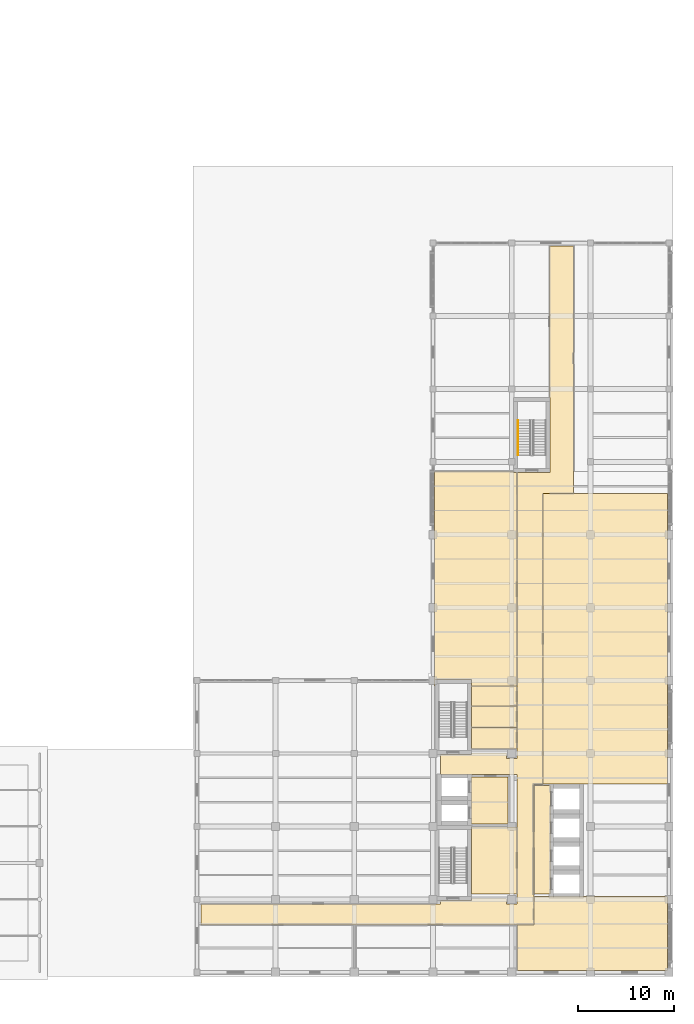
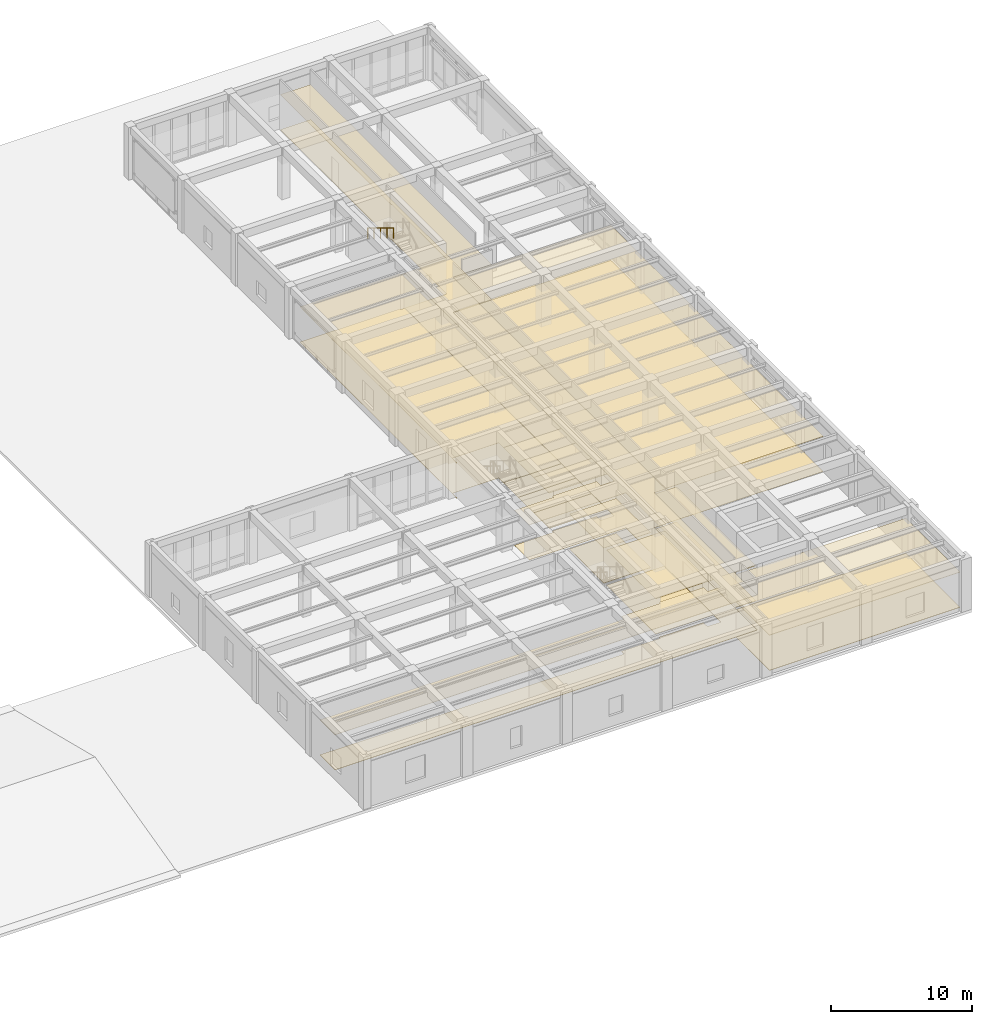
# One storey, part 22 of 23: 20 coverings, 1 railing.
"""IFC4 building model written with IfcOpenShell, lengths in metres."""

from ifc_helpers import new_model, si_unit, direction, frame, origin, origin_2d, place, context, subcontext, project, spatial, polyline, circle, outline, extrude, material, layer, layer_set, type_object, element, save


model = new_model("IFC4")

# Units and contexts
model_context = context("Model", 3, precision=1e-05, world=origin(), true_north=direction((0.0, 1.0)))
body_context = subcontext(model_context, "Body", "Model", "MODEL_VIEW")
ifc_project = project(units=[si_unit("LENGTHUNIT", "METRE"), si_unit("AREAUNIT", "SQUARE_METRE"), si_unit("VOLUMEUNIT", "CUBIC_METRE"), si_unit("PLANEANGLEUNIT", "RADIAN"), si_unit("MASSUNIT", "GRAM", prefix="KILO")], contexts=[model_context])

# Site, building, storey
site_placement = place(None, origin())
site = spatial("IfcSite", under=ifc_project, at=site_placement, CompositionType="ELEMENT")
building_placement = place(site_placement, origin())
building = spatial("IfcBuilding", under=site, at=building_placement, Name="Qandaris Square Conservatory and Botanical Centre", CompositionType="ELEMENT")
storey_placement = place(building_placement, frame((0.0, 0.0, 15.0)))
storey = spatial("IfcBuildingStorey", under=building, at=storey_placement, Name="L03", CompositionType="ELEMENT", Elevation=15.0)

# Coverings
ifc_material_1 = material(Name="Honed Qatari Limestone", Category="masonry")
ifc_layer_1 = layer(ifc_material_1, 0.030029296875)
ifc_layer_set_1 = layer_set([ifc_layer_1], Name="Honed Qatari Limestone")
covering_type_1 = type_object("IfcCoveringType", Name="Honed Qatari Limestone Concourse Paving", PredefinedType="FLOORING", material=ifc_layer_set_1)
covering_1_placement = place(storey_placement, origin())
element("IfcCovering", 1, at=covering_1_placement, inside=storey, type_object=covering_type_1, Name="Firefighting Lift Lobby L03 Flooring", PredefinedType="FLOORING", context=body_context, shape_type="SweptSolid", body=[
    extrude(outline(polyline([(143.14990234375, 36.949951171875), (147.0, 36.949951171875), (147.0, 32.050048828125), (143.14990234375, 32.050048828125), (143.14990234375, 36.949951171875)])), origin(), (0.0, 0.0, 1.0), 0.030029296875),
])
covering_2_placement = place(storey_placement, origin())
element("IfcCovering", 2, at=covering_2_placement, inside=storey, type_object=covering_type_1, Name="Passenger Lift Lobby L03 Flooring", PredefinedType="FLOORING", context=body_context, shape_type="SweptSolid", body=[
    extrude(outline(polyline([(149.699951171875, 36.050048828125), (151.449951171875, 36.050048828125), (151.449951171875, 24.75), (149.699951171875, 24.75), (149.699951171875, 36.050048828125)])), origin(), (0.0, 0.0, 1.0), 0.030029296875),
])
covering_3_placement = place(storey_placement, origin())
element("IfcCovering", 3, at=covering_3_placement, inside=storey, type_object=covering_type_1, Name="Main Circulation Corridor L03 Flooring", PredefinedType="FLOORING", context=body_context, shape_type="SweptSolid", body=[
    extrude(outline(polyline([(140.0, 24.10009765625), (143.199951171875, 24.10009765625), (143.199951171875, 24.280029296875), (146.85009765625, 24.280029296875), (146.85009765625, 23.699951171875), (147.949951171875, 23.699951171875), (147.949951171875, 24.75), (147.949951171875, 31.75), (147.949951171875, 36.199951171875), (147.949951171875, 37.199951171875), (140.0, 37.199951171875), (140.0, 38.89990234375), (140.0, 39.300048828125), (143.199951171875, 39.300048828125), (143.199951171875, 39.47998046875), (146.85009765625, 39.47998046875), (146.85009765625, 38.89990234375), (147.949951171875, 38.89990234375), (147.949951171875, 39.89990234375), (147.949951171875, 42.1201171875), (147.949951171875, 44.340087890625), (147.949951171875, 46.419921875), (147.949951171875, 66.5), (147.949951171875, 68.699951171875), (151.39990234375, 68.699951171875), (151.39990234375, 76.5), (151.35009765625, 76.5), (151.35009765625, 92.300048828125), (153.85009765625, 92.300048828125), (153.85009765625, 68.85009765625), (153.85009765625, 66.5), (151.35009765625, 66.5), (150.64990234375, 66.5), (150.64990234375, 36.199951171875), (149.699951171875, 36.199951171875), (149.699951171875, 36.050048828125), (149.699951171875, 24.75), (149.699951171875, 23.699951171875), (149.699951171875, 21.550048828125), (147.949951171875, 21.550048828125), (115.0, 21.550048828125), (115.0, 23.699951171875), (140.0, 23.699951171875), (140.0, 24.10009765625)])), origin(), (0.0, 0.0, 1.0), 0.030029296875),
])
covering_4_placement = place(storey_placement, origin())
element("IfcCovering", 4, at=covering_4_placement, inside=storey, type_object=covering_type_1, Name="Principal Investigators Office Flooring", PredefinedType="FLOORING", context=body_context, shape_type="SweptSolid", body=[
    extrude(outline(polyline([(147.949951171875, 21.550048828125), (149.699951171875, 21.550048828125), (149.699951171875, 23.699951171875), (149.699951171875, 24.5), (163.6201171875, 24.5), (163.6201171875, 16.780029296875), (147.949951171875, 16.780029296875), (147.949951171875, 21.550048828125)])), origin(), (0.0, 0.0, 1.0), 0.030029296875),
])
ifc_material_2 = material(Name="Gypsum Plasterboard", Category="gypsum")
ifc_layer_2 = layer(ifc_material_2, 0.02490234375)
ifc_layer_set_2 = layer_set([ifc_layer_2], Name="Gypsum Plasterboard")
covering_type_2 = type_object("IfcCoveringType", Name="Perforated Acoustic Lab Ceiling Tile", PredefinedType="CEILING", material=ifc_layer_set_2)
covering_5_placement = place(storey_placement, frame((0.0, 0.0, 3.050048828125)))
element("IfcCovering", 5, at=covering_5_placement, inside=storey, type_object=covering_type_2, Name="Firefighting Lift Lobby L03 Ceiling", PredefinedType="CEILING", context=body_context, shape_type="SweptSolid", body=[
    extrude(outline(polyline([(143.14990234375, 36.949951171875), (147.0, 36.949951171875), (147.0, 32.050048828125), (143.14990234375, 32.050048828125), (143.14990234375, 36.949951171875)])), origin(), (0.0, 0.0, 1.0), 0.02490234375),
])
covering_6_placement = place(storey_placement, frame((0.0, 0.0, 3.050048828125)))
element("IfcCovering", 6, at=covering_6_placement, inside=storey, type_object=covering_type_2, Name="Electrical and Telecom Riser Room L03 Ceiling", PredefinedType="CEILING", context=body_context, shape_type="SweptSolid", body=[
    extrude(outline(polyline([(147.949951171875, 31.75), (147.949951171875, 24.75), (143.199951171875, 24.75), (143.199951171875, 31.75), (147.949951171875, 31.75)])), origin(), (0.0, 0.0, 1.0), 0.02490234375),
])
covering_7_placement = place(storey_placement, frame((0.0, 0.0, 3.050048828125)))
element("IfcCovering", 7, at=covering_7_placement, inside=storey, type_object=covering_type_2, Name="Passenger Lift Lobby L03 Ceiling", PredefinedType="CEILING", context=body_context, shape_type="SweptSolid", body=[
    extrude(outline(polyline([(149.699951171875, 36.050048828125), (151.449951171875, 36.050048828125), (151.449951171875, 24.75), (149.699951171875, 24.75), (149.699951171875, 36.050048828125)])), origin(), (0.0, 0.0, 1.0), 0.02490234375),
])
covering_8_placement = place(storey_placement, frame((0.0, 0.0, 3.050048828125)))
element("IfcCovering", 8, at=covering_8_placement, inside=storey, type_object=covering_type_2, Name="Accessible Toilet L03 Ceiling", PredefinedType="CEILING", context=body_context, shape_type="SweptSolid", body=[
    extrude(outline(polyline([(147.949951171875, 42.1201171875), (147.949951171875, 39.89990234375), (143.199951171875, 39.89990234375), (143.199951171875, 42.1201171875), (147.949951171875, 42.1201171875)])), origin(), (0.0, 0.0, 1.0), 0.02490234375),
])
covering_9_placement = place(storey_placement, frame((0.0, 0.0, 3.050048828125)))
element("IfcCovering", 9, at=covering_9_placement, inside=storey, type_object=covering_type_2, Name="Staff Male Toilet L03 Ceiling", PredefinedType="CEILING", context=body_context, shape_type="SweptSolid", body=[
    extrude(outline(polyline([(147.949951171875, 44.340087890625), (147.949951171875, 42.1201171875), (143.199951171875, 42.1201171875), (143.199951171875, 44.340087890625), (147.949951171875, 44.340087890625)])), origin(), (0.0, 0.0, 1.0), 0.02490234375),
])
covering_10_placement = place(storey_placement, frame((0.0, 0.0, 3.050048828125)))
element("IfcCovering", 10, at=covering_10_placement, inside=storey, type_object=covering_type_2, Name="Staff Female Toilet L03 Ceiling", PredefinedType="CEILING", context=body_context, shape_type="SweptSolid", body=[
    extrude(outline(polyline([(147.949951171875, 46.419921875), (147.949951171875, 44.340087890625), (143.199951171875, 44.340087890625), (143.199951171875, 46.419921875), (147.949951171875, 46.419921875)])), origin(), (0.0, 0.0, 1.0), 0.02490234375),
])
covering_11_placement = place(storey_placement, frame((0.0, 0.0, 3.050048828125)))
element("IfcCovering", 11, at=covering_11_placement, inside=storey, type_object=covering_type_2, Name="Main Circulation Corridor L03 Ceiling", PredefinedType="CEILING", context=body_context, shape_type="SweptSolid", body=[
    extrude(outline(polyline([(140.0, 24.10009765625), (143.199951171875, 24.10009765625), (143.199951171875, 24.280029296875), (146.85009765625, 24.280029296875), (146.85009765625, 23.699951171875), (147.949951171875, 23.699951171875), (147.949951171875, 24.75), (147.949951171875, 31.75), (147.949951171875, 36.199951171875), (147.949951171875, 37.199951171875), (140.0, 37.199951171875), (140.0, 38.89990234375), (140.0, 39.300048828125), (143.199951171875, 39.300048828125), (143.199951171875, 39.47998046875), (146.85009765625, 39.47998046875), (146.85009765625, 38.89990234375), (147.949951171875, 38.89990234375), (147.949951171875, 39.89990234375), (147.949951171875, 42.1201171875), (147.949951171875, 44.340087890625), (147.949951171875, 46.419921875), (147.949951171875, 66.5), (147.949951171875, 68.699951171875), (151.39990234375, 68.699951171875), (151.39990234375, 76.5), (151.35009765625, 76.5), (151.35009765625, 92.300048828125), (153.85009765625, 92.300048828125), (153.85009765625, 68.85009765625), (153.85009765625, 66.5), (151.35009765625, 66.5), (150.64990234375, 66.5), (150.64990234375, 36.199951171875), (149.699951171875, 36.199951171875), (149.699951171875, 36.050048828125), (149.699951171875, 24.75), (149.699951171875, 23.699951171875), (149.699951171875, 21.550048828125), (147.949951171875, 21.550048828125), (115.0, 21.550048828125), (115.0, 23.699951171875), (140.0, 23.699951171875), (140.0, 24.10009765625)])), origin(), (0.0, 0.0, 1.0), 0.02490234375),
])
covering_12_placement = place(storey_placement, frame((0.0, 0.0, 3.050048828125)))
element("IfcCovering", 12, at=covering_12_placement, inside=storey, type_object=covering_type_2, Name="Phytochemistry Extraction Laboratory Ceiling", PredefinedType="CEILING", context=body_context, shape_type="SweptSolid", body=[
    extrude(outline(polyline([(150.64990234375, 66.5), (151.35009765625, 66.5), (153.85009765625, 66.5), (163.6201171875, 66.5), (163.6201171875, 36.25), (150.64990234375, 36.25), (150.64990234375, 66.5)])), origin(), (0.0, 0.0, 1.0), 0.02490234375),
])
covering_13_placement = place(storey_placement, frame((0.0, 0.0, 3.050048828125)))
element("IfcCovering", 13, at=covering_13_placement, inside=storey, type_object=covering_type_2, Name="Media Preparation and Autoclave Room Ceiling", PredefinedType="CEILING", context=body_context, shape_type="SweptSolid", body=[
    extrude(outline(polyline([(139.372314453125, 46.94775390625), (139.37646484375, 46.96484375), (139.379150390625, 46.982421875), (139.3798828125, 47.0), (139.3798828125, 68.800048828125), (147.60009765625, 68.800048828125), (147.60009765625, 68.699951171875), (147.949951171875, 68.699951171875), (147.949951171875, 66.5), (147.949951171875, 46.419921875), (143.199951171875, 46.419921875), (143.199951171875, 47.10009765625), (139.39990234375, 47.10009765625), (139.39990234375, 46.419921875), (139.35009765625, 46.419921875), (139.35009765625, 46.900634765625), (139.358642578125, 46.9150390625), (139.3662109375, 46.93115234375), (139.372314453125, 46.94775390625)])), origin(), (0.0, 0.0, 1.0), 0.02490234375),
])
ifc_material_3 = material(Name="Epoxy Resin Screed", Category="finish")
ifc_layer_3 = layer(ifc_material_3, 0.014892578125)
ifc_layer_set_3 = layer_set([ifc_layer_3], Name="Epoxy Resin Screed")
covering_type_3 = type_object("IfcCoveringType", Name="Seamless Epoxy Laboratory Flooring", PredefinedType="FLOORING", material=ifc_layer_set_3)
covering_14_placement = place(storey_placement, origin())
element("IfcCovering", 14, at=covering_14_placement, inside=storey, type_object=covering_type_3, Name="Electrical and Telecom Riser Room L03 Flooring", PredefinedType="FLOORING", context=body_context, shape_type="SweptSolid", body=[
    extrude(outline(polyline([(147.949951171875, 31.75), (147.949951171875, 24.75), (143.199951171875, 24.75), (143.199951171875, 31.75), (147.949951171875, 31.75)])), origin(), (0.0, 0.0, 1.0), 0.014892578125),
])
covering_15_placement = place(storey_placement, origin())
element("IfcCovering", 15, at=covering_15_placement, inside=storey, type_object=covering_type_3, Name="Accessible Toilet L03 Flooring", PredefinedType="FLOORING", context=body_context, shape_type="SweptSolid", body=[
    extrude(outline(polyline([(147.949951171875, 42.1201171875), (147.949951171875, 39.89990234375), (143.199951171875, 39.89990234375), (143.199951171875, 42.1201171875), (147.949951171875, 42.1201171875)])), origin(), (0.0, 0.0, 1.0), 0.014892578125),
])
covering_16_placement = place(storey_placement, origin())
element("IfcCovering", 16, at=covering_16_placement, inside=storey, type_object=covering_type_3, Name="Staff Male Toilet L03 Flooring", PredefinedType="FLOORING", context=body_context, shape_type="SweptSolid", body=[
    extrude(outline(polyline([(147.949951171875, 44.340087890625), (147.949951171875, 42.1201171875), (143.199951171875, 42.1201171875), (143.199951171875, 44.340087890625), (147.949951171875, 44.340087890625)])), origin(), (0.0, 0.0, 1.0), 0.014892578125),
])
covering_17_placement = place(storey_placement, origin())
element("IfcCovering", 17, at=covering_17_placement, inside=storey, type_object=covering_type_3, Name="Staff Female Toilet L03 Flooring", PredefinedType="FLOORING", context=body_context, shape_type="SweptSolid", body=[
    extrude(outline(polyline([(147.949951171875, 46.419921875), (147.949951171875, 44.340087890625), (143.199951171875, 44.340087890625), (143.199951171875, 46.419921875), (147.949951171875, 46.419921875)])), origin(), (0.0, 0.0, 1.0), 0.014892578125),
])
covering_18_placement = place(storey_placement, origin())
element("IfcCovering", 18, at=covering_18_placement, inside=storey, type_object=covering_type_3, Name="Phytochemistry Extraction Laboratory Flooring", PredefinedType="FLOORING", context=body_context, shape_type="SweptSolid", body=[
    extrude(outline(polyline([(150.64990234375, 66.5), (151.35009765625, 66.5), (153.85009765625, 66.5), (163.6201171875, 66.5), (163.6201171875, 36.25), (150.64990234375, 36.25), (150.64990234375, 66.5)])), origin(), (0.0, 0.0, 1.0), 0.014892578125),
])
covering_19_placement = place(storey_placement, origin())
element("IfcCovering", 19, at=covering_19_placement, inside=storey, type_object=covering_type_3, Name="Media Preparation and Autoclave Room Flooring", PredefinedType="FLOORING", context=body_context, shape_type="SweptSolid", body=[
    extrude(outline(polyline([(139.372314453125, 46.94775390625), (139.37646484375, 46.96484375), (139.379150390625, 46.982421875), (139.3798828125, 47.0), (139.3798828125, 68.800048828125), (147.60009765625, 68.800048828125), (147.60009765625, 68.699951171875), (147.949951171875, 68.699951171875), (147.949951171875, 66.5), (147.949951171875, 46.419921875), (143.199951171875, 46.419921875), (143.199951171875, 47.10009765625), (139.39990234375, 47.10009765625), (139.39990234375, 46.419921875), (139.35009765625, 46.419921875), (139.35009765625, 46.900634765625), (139.358642578125, 46.9150390625), (139.3662109375, 46.93115234375), (139.372314453125, 46.94775390625)])), origin(), (0.0, 0.0, 1.0), 0.014892578125),
])
ifc_material_4 = material(Name="Engineered Oak Timber", Category="wood")
ifc_layer_4 = layer(ifc_material_4, 0.0400390625)
ifc_layer_set_4 = layer_set([ifc_layer_4], Name="Engineered Oak Timber")
covering_type_4 = type_object("IfcCoveringType", Name="Slatted Oak Acoustic Gallery Ceiling", PredefinedType="CEILING", material=ifc_layer_set_4)
covering_20_placement = place(storey_placement, frame((0.0, 0.0, 3.050048828125)))
element("IfcCovering", 20, at=covering_20_placement, inside=storey, type_object=covering_type_4, Name="Principal Investigators Office Ceiling", PredefinedType="CEILING", context=body_context, shape_type="SweptSolid", body=[
    extrude(outline(polyline([(147.949951171875, 21.550048828125), (149.699951171875, 21.550048828125), (149.699951171875, 23.699951171875), (149.699951171875, 24.5), (163.6201171875, 24.5), (163.6201171875, 16.780029296875), (147.949951171875, 16.780029296875), (147.949951171875, 21.550048828125)])), origin(), (0.0, 0.0, 1.0), 0.0400390625),
])

# Railing
ifc_material_5 = material(Name="Stainless Steel", Category="steel")
railing_type = type_object("IfcRailingType", Name="Stair Tubular Handrail 920mm", PredefinedType="HANDRAIL", material=ifc_material_5)
railing_placement = place(storey_placement, frame((148.050048828125, 74.139892578125, 2.742919921875)))
element("IfcRailing", 21, at=railing_placement, inside=storey, type_object=railing_type, Name="L03 ST-3 stair handrail 2", PredefinedType="HANDRAIL", context=body_context, shape_type="SweptSolid", body=[
    extrude(circle(Radius=0.02392578125, at=origin_2d()), frame((0.0, 0.0, 0.89599609375), z_axis=(0.0, -0.852850264322, 0.5221555579), x_axis=(1.0, 0.0, 0.0)), (0.0, 0.0, 1.0), 4.267822265625),
    extrude(circle(Radius=0.02099609375, at=origin_2d()), origin(), (0.0, 0.0, 1.0), 0.871826171875),
    extrude(circle(Radius=0.02099609375, at=origin_2d()), frame((0.0, -0.909912109375, 0.55712890625)), (0.0, 0.0, 1.0), 0.871826171875),
    extrude(circle(Radius=0.02099609375, at=origin_2d()), frame((0.0, -1.81982421875, 1.1142578125)), (0.0, 0.0, 1.0), 0.871826171875),
    extrude(circle(Radius=0.02099609375, at=origin_2d()), frame((0.0, -2.72998046875, 1.67138671875)), (0.0, 0.0, 1.0), 0.871826171875),
    extrude(circle(Radius=0.02099609375, at=origin_2d()), frame((0.0, -3.639892578125, 2.228515625)), (0.0, 0.0, 1.0), 0.871826171875),
])

save(model, "model.ifc")
